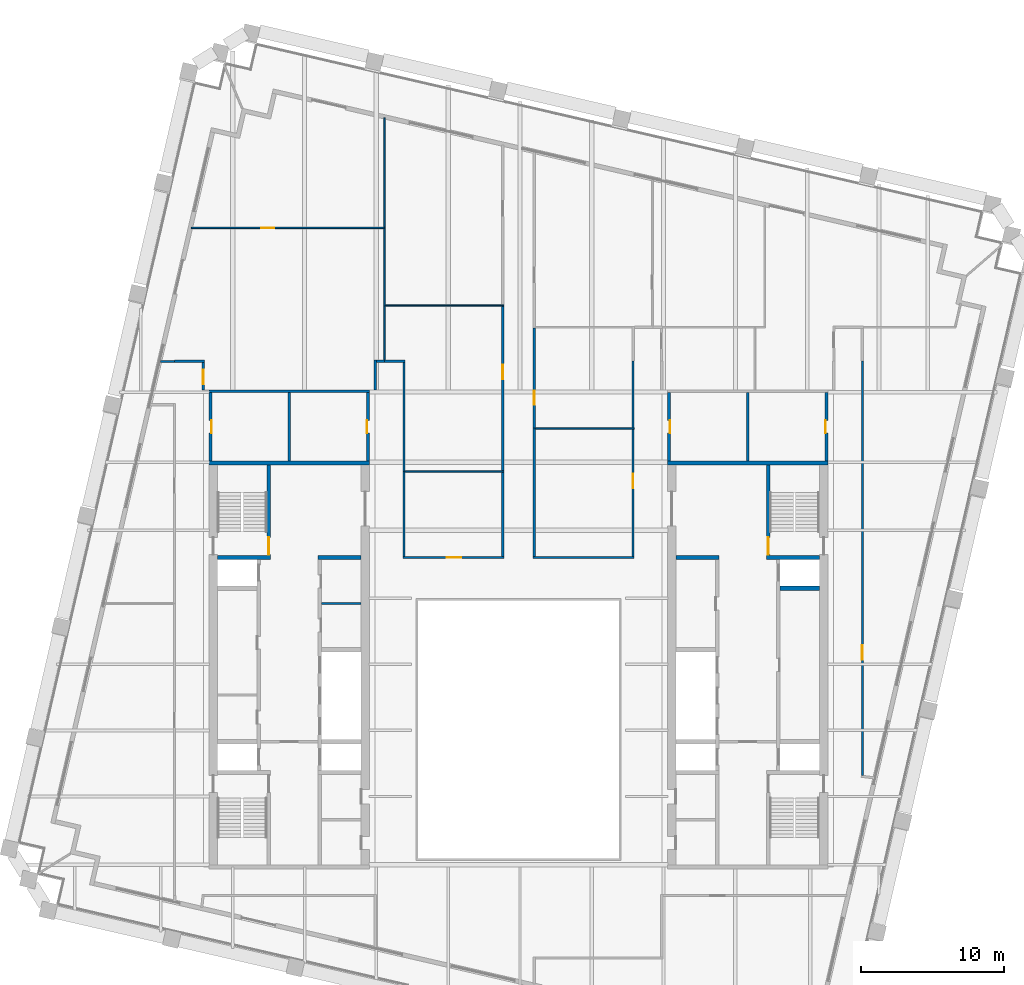
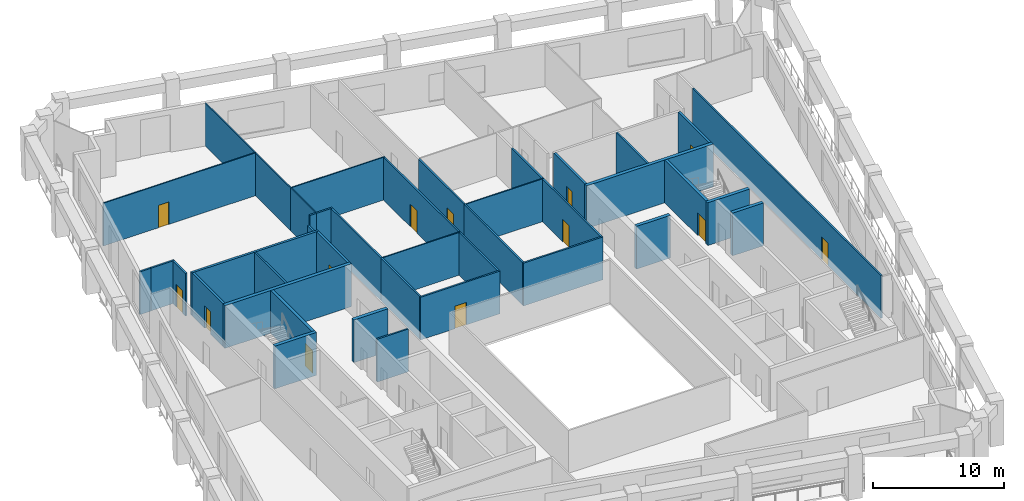
# One storey, part 7 of 11: 41 walls, 13 doors, 13 openings.
"""IFC4 building model written with IfcOpenShell, lengths in metres."""

from ifc_helpers import new_model, si_unit, direction, frame, frame_2d, origin, place, context, subcontext, project, spatial, rectangle, extrude, material, layer, layer_set, type_object, element, fill, save


model = new_model("IFC4")

# Units and contexts
model_context = context("Model", 3, precision=1e-05, world=origin(), true_north=direction((0.0, 1.0)))
body_context = subcontext(model_context, "Body", "Model", "MODEL_VIEW")
ifc_project = project(units=[si_unit("LENGTHUNIT", "METRE"), si_unit("AREAUNIT", "SQUARE_METRE"), si_unit("VOLUMEUNIT", "CUBIC_METRE"), si_unit("PLANEANGLEUNIT", "RADIAN"), si_unit("MASSUNIT", "GRAM", prefix="KILO")], contexts=[model_context])

# Site, building, storey
site_placement = place(None, origin())
site = spatial("IfcSite", under=ifc_project, at=site_placement, CompositionType="ELEMENT")
building_placement = place(site_placement, origin())
building = spatial("IfcBuilding", under=site, at=building_placement, Name="Ogive Exchange Tower", CompositionType="ELEMENT")
storey_placement = place(building_placement, frame((0.0, 0.0, 247.199951171875)))
storey = spatial("IfcBuildingStorey", under=building, at=storey_placement, Name="L53", CompositionType="ELEMENT", Elevation=247.199951171875)

# Walls
ifc_material_1 = material(Name="Gypsum board partition")
ifc_layer_1 = layer(ifc_material_1, 0.14990234375)
ifc_layer_set_1 = layer_set([ifc_layer_1], Name="Core room partition 150 gypsum")
wall_type_1 = type_object("IfcWallType", Name="Core room partition 150 gypsum", PredefinedType="PARTITIONING", material=ifc_layer_set_1)
wall_1_placement = place(storey_placement, frame((-13.75, 15.800048828125, 0.0), z_axis=(0.0, 0.0, 1.0), x_axis=(1.0, 0.0, 0.0)))
element("IfcWall", 1, at=wall_1_placement, inside=storey, type_object=wall_type_1, Name="W row B bay partition 4-1", PredefinedType="PARTITIONING", context=body_context, shape_type="SweptSolid", body=[
    extrude(rectangle(XDim=2.75, YDim=0.14990234375, at=frame_2d((1.375, 0.0))), origin(), (0.0, 0.0, 1.0), 4.0),
])
for number, where, z_axis, x_axis, name in (
    (2, (-16.0, 25.75, 0.0), (0.0, 0.0, 1.0), (0.0, 1.0, 0.0), "W annex N column wall"),
    (3, (16.0, 25.75, 0.0), (0.0, 0.0, 1.0), (0.0, 1.0, 0.0), "E annex N column wall"),
):
    element("IfcWall", number, at=place(storey_placement, frame(where, z_axis=z_axis, x_axis=x_axis)), inside=storey, type_object=wall_type_1, Name=name, PredefinedType="PARTITIONING", context=body_context, shape_type="SweptSolid", body=[
        extrude(rectangle(XDim=4.75, YDim=0.14990234375, at=frame_2d((2.375, 0.0))), origin(), (0.0, 0.0, 1.0), 4.0),
    ])
ifc_layer_2 = layer(ifc_material_1, 0.300048828125)
ifc_layer_set_2 = layer_set([ifc_layer_2], Name="Core room partition 300 gypsum")
wall_type_2 = type_object("IfcWallType", Name="Core room partition 300 gypsum", PredefinedType="PARTITIONING", material=ifc_layer_set_2)
for number, where, z_axis, x_axis, name in (
    (4, (-14.0, 19.0, 0.0), (0.0, 0.0, 1.0), (1.0, 0.0, 0.0), "W row B room end wall 7"),
    (5, (11.0, 19.0, 0.0), (0.0, 0.0, 1.0), (1.0, 0.0, 0.0), "E row B room end wall 7"),
):
    element("IfcWall", number, at=place(storey_placement, frame(where, z_axis=z_axis, x_axis=x_axis)), inside=storey, type_object=wall_type_2, Name=name, PredefinedType="PARTITIONING", context=body_context, shape_type="SweptSolid", body=[
        extrude(rectangle(XDim=3.0, YDim=0.300048828125, at=frame_2d((1.5, 0.0))), origin(), (0.0, 0.0, 1.0), 4.0),
    ])
ifc_material_2 = material(Name="Fire partition EI 60 150")
ifc_layer_3 = layer(ifc_material_2, 0.14990234375)
ifc_layer_set_3 = layer_set([ifc_layer_3], Name="Fire partition EI 60 150")
wall_type_3 = type_object("IfcWallType", Name="Fire partition EI 60 150", PredefinedType="PARTITIONING", material=ifc_layer_set_3)
wall_2_placement = place(storey_placement, frame((-24.97900390625, 32.68994140625, 0.0), z_axis=(0.0, 0.0, 1.0), x_axis=(1.0, 0.0, 0.0)))
element("IfcWall", 6, at=wall_2_placement, inside=storey, type_object=wall_type_3, Name="L53-PWL-001", PredefinedType="PARTITIONING", context=body_context, shape_type="SweptSolid", body=[
    extrude(rectangle(XDim=0.97900390625, YDim=0.14990234375, at=frame_2d((0.489501953125, 0.0))), origin(), (0.0, 0.0, 1.0), 4.0),
])
wall_3_placement = place(storey_placement, frame((-24.0, 32.699951171875, 0.0), z_axis=(0.0, 0.0, 1.0), x_axis=(1.0, 0.0, 0.0)))
element("IfcWall", 7, at=wall_3_placement, inside=storey, type_object=wall_type_3, Name="L53-PWL-006", PredefinedType="PARTITIONING", context=body_context, shape_type="SweptSolid", body=[
    extrude(rectangle(XDim=2.074951171875, YDim=0.14990234375, at=frame_2d((1.03759765625, 0.0))), origin(), (0.0, 0.0, 1.0), 4.0),
])

# Wall, opening, door
wall_4_placement = place(storey_placement, frame((-22.0, 32.625, 0.0), z_axis=(0.0, 0.0, 1.0), x_axis=(0.0, -1.0, 0.0)))
wall_4 = element("IfcWall", 8, at=wall_4_placement, inside=storey, type_object=wall_type_3, Name="L53-PWL-010", PredefinedType="PARTITIONING", context=body_context, shape_type="SweptSolid", body=[
    extrude(rectangle(XDim=1.925048828125, YDim=0.14990234375, at=frame_2d((0.96240234375, 0.0))), origin(), (0.0, 0.0, 1.0), 4.0),
])
opening_1_placement = place(wall_4_placement, frame((0.52490234375, 0.0, 0.0)))
opening_1 = element("IfcOpeningElement", 9, at=opening_1_placement, cuts=wall_4, Name="Opening L53-I05", PredefinedType="OPENING", context=body_context, shape_type="SweptSolid", body=[
    extrude(rectangle(XDim=1.0, YDim=2.10009765625, at=frame_2d((0.5, 1.050048828125))), frame((0.0, 0.0849609375, 0.0), z_axis=(0.0, -1.0, 0.0), x_axis=(1.0, 0.0, 0.0)), (0.0, 0.0, 1.0), 0.169921875),
])
ifc_material_3 = material(Name="Fire door FD 30S 1000 x 2100")
door_type_1 = type_object("IfcDoorType", Name="Fire door FD 30S 1000 x 2100", OperationType="NOTDEFINED", PredefinedType="DOOR", material=ifc_material_3)
door_1_placement = place(opening_1_placement, origin())
door_1 = element("IfcDoor", 10, at=door_1_placement, inside=storey, type_object=door_type_1, Name="L53-IDR-005", ObjectType="DT3", OperationType="SINGLE_SWING_LEFT", OverallHeight=2.10009765625, OverallWidth=1.0, PredefinedType="DOOR", context=body_context, shape_type="SweptSolid", body=[
    extrude(rectangle(XDim=1.0, YDim=2.10009765625, at=frame_2d((0.5, 1.050048828125))), frame((0.0, 0.02490234375, 0.0), z_axis=(0.0, -1.0, 0.0), x_axis=(1.0, 0.0, 0.0)), (0.0, 0.0, 1.0), 0.050048828125),
])
fill(opening_1, door_1)

# Walls
wall_5_placement = place(storey_placement, frame((-10.0, 30.699951171875, 0.0), z_axis=(0.0, 0.0, 1.0), x_axis=(0.0, 1.0, 0.0)))
element("IfcWall", 11, at=wall_5_placement, inside=storey, type_object=wall_type_3, Name="L53-PWL-013", PredefinedType="PARTITIONING", context=body_context, shape_type="SweptSolid", body=[
    extrude(rectangle(XDim=2.074951171875, YDim=0.14990234375, at=frame_2d((1.03759765625, 0.0))), origin(), (0.0, 0.0, 1.0), 3.02001953125),
])
wall_6_placement = place(storey_placement, frame((-9.925048828125, 32.699951171875, 0.0), z_axis=(0.0, 0.0, 1.0), x_axis=(1.0, 0.0, 0.0)))
element("IfcWall", 12, at=wall_6_placement, inside=storey, type_object=wall_type_3, Name="L53-PWL-014", PredefinedType="PARTITIONING", context=body_context, shape_type="SweptSolid", body=[
    extrude(rectangle(XDim=0.5849609375, YDim=0.14990234375, at=frame_2d((0.29248046875, 0.0))), origin(), (0.0, 0.0, 1.0), 4.0),
])
wall_7_placement = place(storey_placement, frame((-9.340087890625, 32.699951171875, 0.0), z_axis=(0.0, 0.0, 1.0), x_axis=(1.0, 0.0, 0.0)))
element("IfcWall", 13, at=wall_7_placement, inside=storey, type_object=wall_type_3, Name="L53-PWL-016", PredefinedType="PARTITIONING", context=body_context, shape_type="SweptSolid", body=[
    extrude(rectangle(XDim=1.4150390625, YDim=0.14990234375, at=frame_2d((0.70751953125, 0.0))), origin(), (0.0, 0.0, 1.0), 4.0),
])

# Wall, opening, door
wall_8_placement = place(storey_placement, frame((-8.074951171875, 19.0, 0.0), z_axis=(0.0, 0.0, 1.0), x_axis=(1.0, 0.0, 0.0)))
wall_8 = element("IfcWall", 14, at=wall_8_placement, inside=storey, type_object=wall_type_3, Name="L53-PWL-020", PredefinedType="PARTITIONING", context=body_context, shape_type="SweptSolid", body=[
    extrude(rectangle(XDim=7.050048828125, YDim=0.14990234375, at=frame_2d((3.52490234375, 0.0))), origin(), (0.0, 0.0, 1.0), 4.0),
])
opening_2_placement = place(wall_8_placement, frame((3.074951171875, 0.0, 0.0)))
opening_2 = element("IfcOpeningElement", 15, at=opening_2_placement, cuts=wall_8, Name="Opening L53-I01", PredefinedType="OPENING", context=body_context, shape_type="SweptSolid", body=[
    extrude(rectangle(XDim=1.0, YDim=2.10009765625, at=frame_2d((0.5, 1.050048828125))), frame((0.0, 0.0849609375, 0.0), z_axis=(0.0, -1.0, 0.0), x_axis=(1.0, 0.0, 0.0)), (0.0, 0.0, 1.0), 0.169921875),
])
door_2_placement = place(opening_2_placement, origin())
door_2 = element("IfcDoor", 16, at=door_2_placement, inside=storey, type_object=door_type_1, Name="L53-IDR-001", ObjectType="DT3", OperationType="SINGLE_SWING_RIGHT", OverallHeight=2.10009765625, OverallWidth=1.0, PredefinedType="DOOR", context=body_context, shape_type="SweptSolid", body=[
    extrude(rectangle(XDim=1.0, YDim=2.10009765625, at=frame_2d((0.5, 1.050048828125))), frame((0.0, 0.02490234375, 0.0), z_axis=(0.0, -1.0, 0.0), x_axis=(1.0, 0.0, 0.0)), (0.0, 0.0, 1.0), 0.050048828125),
])
fill(opening_2, door_2)

# Walls
wall_9_placement = place(storey_placement, frame((-8.0, 25.0, 0.0), z_axis=(0.0, 0.0, 1.0), x_axis=(0.0, -1.0, 0.0)))
element("IfcWall", 17, at=wall_9_placement, inside=storey, type_object=wall_type_3, Name="L53-PWL-021", PredefinedType="PARTITIONING", context=body_context, shape_type="SweptSolid", body=[
    extrude(rectangle(XDim=5.925048828125, YDim=0.14990234375, at=frame_2d((2.96240234375, 0.0))), origin(), (0.0, 0.0, 1.0), 4.0),
])
wall_10_placement = place(storey_placement, frame((-8.0, 32.625, 0.0), z_axis=(0.0, 0.0, 1.0), x_axis=(0.0, -1.0, 0.0)))
element("IfcWall", 18, at=wall_10_placement, inside=storey, type_object=wall_type_3, Name="L53-PWL-023", PredefinedType="PARTITIONING", context=body_context, shape_type="SweptSolid", body=[
    extrude(rectangle(XDim=7.625, YDim=0.14990234375, at=frame_2d((3.8125, 0.0))), origin(), (0.0, 0.0, 1.0), 4.0),
])
wall_11_placement = place(storey_placement, frame((-1.10009765625, 19.074951171875, 0.0), z_axis=(0.0, 0.0, 1.0), x_axis=(0.0, 1.0, 0.0)))
element("IfcWall", 19, at=wall_11_placement, inside=storey, type_object=wall_type_3, Name="L53-PWL-024", PredefinedType="PARTITIONING", context=body_context, shape_type="SweptSolid", body=[
    extrude(rectangle(XDim=5.875, YDim=0.14990234375, at=frame_2d((2.9375, 0.0))), origin(), (0.0, 0.0, 1.0), 4.0),
])

# Wall, opening, door
wall_12_placement = place(storey_placement, frame((-1.10009765625, 25.050048828125, 0.0), z_axis=(0.0, 0.0, 1.0), x_axis=(0.0, 1.0, 0.0)))
wall_12 = element("IfcWall", 20, at=wall_12_placement, inside=storey, type_object=wall_type_3, Name="L53-PWL-025", PredefinedType="PARTITIONING", context=body_context, shape_type="SweptSolid", body=[
    extrude(rectangle(XDim=11.489990234375, YDim=0.14990234375, at=frame_2d((5.7451171875, 0.0))), origin(), (0.0, 0.0, 1.0), 4.0),
])
opening_3_placement = place(wall_12_placement, frame((6.389892578125, 0.0, 0.0)))
opening_3 = element("IfcOpeningElement", 21, at=opening_3_placement, cuts=wall_12, Name="Opening L53-I02", PredefinedType="OPENING", context=body_context, shape_type="SweptSolid", body=[
    extrude(rectangle(XDim=1.0, YDim=2.10009765625, at=frame_2d((0.5, 1.050048828125))), frame((0.0, 0.0849609375, 0.0), z_axis=(0.0, -1.0, 0.0), x_axis=(1.0, 0.0, 0.0)), (0.0, 0.0, 1.0), 0.169921875),
])
door_3_placement = place(opening_3_placement, origin())
door_3 = element("IfcDoor", 22, at=door_3_placement, inside=storey, type_object=door_type_1, Name="L53-IDR-002", ObjectType="DT3", OperationType="SINGLE_SWING_RIGHT", OverallHeight=2.10009765625, OverallWidth=1.0, PredefinedType="DOOR", context=body_context, shape_type="SweptSolid", body=[
    extrude(rectangle(XDim=1.0, YDim=2.10009765625, at=frame_2d((0.5, 1.050048828125))), frame((0.0, 0.02490234375, 0.0), z_axis=(0.0, -1.0, 0.0), x_axis=(1.0, 0.0, 0.0)), (0.0, 0.0, 1.0), 0.050048828125),
])
fill(opening_3, door_3)

# Walls
wall_13_placement = place(storey_placement, frame((1.02490234375, 19.0, 0.0), z_axis=(0.0, 0.0, 1.0), x_axis=(1.0, 0.0, 0.0)))
element("IfcWall", 23, at=wall_13_placement, inside=storey, type_object=wall_type_3, Name="L53-PWL-028", PredefinedType="PARTITIONING", context=body_context, shape_type="SweptSolid", body=[
    extrude(rectangle(XDim=7.050048828125, YDim=0.14990234375, at=frame_2d((3.52490234375, 0.0))), origin(), (0.0, 0.0, 1.0), 4.0),
])
wall_14_placement = place(storey_placement, frame((1.10009765625, 28.050048828125, 0.0), z_axis=(0.0, 0.0, 1.0), x_axis=(0.0, -1.0, 0.0)))
element("IfcWall", 24, at=wall_14_placement, inside=storey, type_object=wall_type_3, Name="L53-PWL-029", PredefinedType="PARTITIONING", context=body_context, shape_type="SweptSolid", body=[
    extrude(rectangle(XDim=8.97509765625, YDim=0.14990234375, at=frame_2d((4.487548828125, 0.0))), origin(), (0.0, 0.0, 1.0), 4.0),
])

# Wall, opening, door
wall_15_placement = place(storey_placement, frame((1.10009765625, 35.02001953125, 0.0), z_axis=(0.0, 0.0, 1.0), x_axis=(0.0, -1.0, 0.0)))
wall_15 = element("IfcWall", 25, at=wall_15_placement, inside=storey, type_object=wall_type_3, Name="L53-PWL-031", PredefinedType="PARTITIONING", context=body_context, shape_type="SweptSolid", body=[
    extrude(rectangle(XDim=6.969970703125, YDim=0.14990234375, at=frame_2d((3.48486328125, 0.0))), origin(), (0.0, 0.0, 1.0), 4.0),
])
opening_4_placement = place(wall_15_placement, frame((4.3701171875, 0.0, 0.0)))
opening_4 = element("IfcOpeningElement", 26, at=opening_4_placement, cuts=wall_15, Name="Opening L53-I10", PredefinedType="OPENING", context=body_context, shape_type="SweptSolid", body=[
    extrude(rectangle(XDim=1.0, YDim=2.10009765625, at=frame_2d((0.5, 1.050048828125))), frame((0.0, 0.0849609375, 0.0), z_axis=(0.0, -1.0, 0.0), x_axis=(1.0, 0.0, 0.0)), (0.0, 0.0, 1.0), 0.169921875),
])
door_4_placement = place(opening_4_placement, origin())
door_4 = element("IfcDoor", 27, at=door_4_placement, inside=storey, type_object=door_type_1, Name="L53-IDR-010", ObjectType="DT3", OperationType="SINGLE_SWING_LEFT", OverallHeight=2.10009765625, OverallWidth=1.0, PredefinedType="DOOR", context=body_context, shape_type="SweptSolid", body=[
    extrude(rectangle(XDim=1.0, YDim=2.10009765625, at=frame_2d((0.5, 1.050048828125))), frame((0.0, 0.02490234375, 0.0), z_axis=(0.0, -1.0, 0.0), x_axis=(1.0, 0.0, 0.0)), (0.0, 0.0, 1.0), 0.050048828125),
])
fill(opening_4, door_4)

wall_16_placement = place(storey_placement, frame((8.0, 19.074951171875, 0.0), z_axis=(0.0, 0.0, 1.0), x_axis=(0.0, 1.0, 0.0)))
wall_16 = element("IfcWall", 28, at=wall_16_placement, inside=storey, type_object=wall_type_3, Name="L53-PWL-033", PredefinedType="PARTITIONING", context=body_context, shape_type="SweptSolid", body=[
    extrude(rectangle(XDim=8.875, YDim=0.14990234375, at=frame_2d((4.4375, 0.0))), origin(), (0.0, 0.0, 1.0), 4.0),
])
opening_5_placement = place(wall_16_placement, frame((4.77490234375, 0.0, 0.0)))
opening_5 = element("IfcOpeningElement", 29, at=opening_5_placement, cuts=wall_16, Name="Opening L53-I08", PredefinedType="OPENING", context=body_context, shape_type="SweptSolid", body=[
    extrude(rectangle(XDim=1.0, YDim=2.10009765625, at=frame_2d((0.5, 1.050048828125))), frame((0.0, 0.0849609375, 0.0), z_axis=(0.0, -1.0, 0.0), x_axis=(1.0, 0.0, 0.0)), (0.0, 0.0, 1.0), 0.169921875),
])
door_5_placement = place(opening_5_placement, origin())
door_5 = element("IfcDoor", 30, at=door_5_placement, inside=storey, type_object=door_type_1, Name="L53-IDR-008", ObjectType="DT3", OperationType="SINGLE_SWING_LEFT", OverallHeight=2.10009765625, OverallWidth=1.0, PredefinedType="DOOR", context=body_context, shape_type="SweptSolid", body=[
    extrude(rectangle(XDim=1.0, YDim=2.10009765625, at=frame_2d((0.5, 1.050048828125))), frame((0.0, 0.02490234375, 0.0), z_axis=(0.0, -1.0, 0.0), x_axis=(1.0, 0.0, 0.0)), (0.0, 0.0, 1.0), 0.050048828125),
])
fill(opening_5, door_5)

# Wall
wall_17_placement = place(storey_placement, frame((8.0, 28.050048828125, 0.0), z_axis=(0.0, 0.0, 1.0), x_axis=(0.0, 1.0, 0.0)))
element("IfcWall", 31, at=wall_17_placement, inside=storey, type_object=wall_type_3, Name="L53-PWL-034", PredefinedType="PARTITIONING", context=body_context, shape_type="SweptSolid", body=[
    extrude(rectangle(XDim=4.64990234375, YDim=0.14990234375, at=frame_2d((2.324951171875, 0.0))), origin(), (0.0, 0.0, 1.0), 4.0),
])

# Wall, opening, door
wall_18_placement = place(storey_placement, frame((24.0, 32.699951171875, 0.0), z_axis=(0.0, 0.0, 1.0), x_axis=(0.0, -1.0, 0.0)))
wall_18 = element("IfcWall", 32, at=wall_18_placement, inside=storey, type_object=wall_type_3, Name="L53-PWL-055", PredefinedType="PARTITIONING", context=body_context, shape_type="SweptSolid", body=[
    extrude(rectangle(XDim=28.905029296875, YDim=0.14990234375, at=frame_2d((14.45263671875, 0.0))), origin(), (0.0, 0.0, 1.0), 4.0),
])
opening_6_placement = place(wall_18_placement, frame((19.830078125, 0.0, 0.0)))
opening_6 = element("IfcOpeningElement", 33, at=opening_6_placement, cuts=wall_18, Name="Opening L53-I12", PredefinedType="OPENING", context=body_context, shape_type="SweptSolid", body=[
    extrude(rectangle(XDim=1.0, YDim=2.10009765625, at=frame_2d((0.5, 1.050048828125))), frame((0.0, 0.0849609375, 0.0), z_axis=(0.0, -1.0, 0.0), x_axis=(1.0, 0.0, 0.0)), (0.0, 0.0, 1.0), 0.169921875),
])
door_6_placement = place(opening_6_placement, origin())
door_6 = element("IfcDoor", 34, at=door_6_placement, inside=storey, type_object=door_type_1, Name="L53-IDR-012", ObjectType="DT3", OperationType="SINGLE_SWING_LEFT", OverallHeight=2.10009765625, OverallWidth=1.0, PredefinedType="DOOR", context=body_context, shape_type="SweptSolid", body=[
    extrude(rectangle(XDim=1.0, YDim=2.10009765625, at=frame_2d((0.5, 1.050048828125))), frame((0.0, 0.02490234375, 0.0), z_axis=(0.0, -1.0, 0.0), x_axis=(1.0, 0.0, 0.0)), (0.0, 0.0, 1.0), 0.050048828125),
])
fill(opening_6, door_6)

ifc_material_4 = material(Name="Partition 100 gypsum")
ifc_layer_4 = layer(ifc_material_4, 0.10009765625)
ifc_layer_set_4 = layer_set([ifc_layer_4], Name="Partition 100 gypsum")
wall_type_4 = type_object("IfcWallType", Name="Partition 100 gypsum", PredefinedType="PARTITIONING", material=ifc_layer_set_4)
wall_19_placement = place(storey_placement, frame((-22.8291015625, 42.0, 0.0), z_axis=(0.0, 0.0, 1.0), x_axis=(1.0, 0.0, 0.0)))
wall_19 = element("IfcWall", 35, at=wall_19_placement, inside=storey, type_object=wall_type_4, Name="L53-PWL-008", PredefinedType="PARTITIONING", context=body_context, shape_type="SweptSolid", body=[
    extrude(rectangle(XDim=13.5390625, YDim=0.10009765625, at=frame_2d((6.76953125, 0.0))), origin(), (0.0, 0.0, 1.0), 4.0),
])
opening_7_placement = place(wall_19_placement, frame((4.888916015625, 0.0, 0.0)))
opening_7 = element("IfcOpeningElement", 36, at=opening_7_placement, cuts=wall_19, Name="Opening L53-I06", PredefinedType="OPENING", context=body_context, shape_type="SweptSolid", body=[
    extrude(rectangle(XDim=0.89990234375, YDim=2.10009765625, at=frame_2d((0.449951171875, 1.050048828125))), frame((0.0, 0.06005859375, 0.0), z_axis=(0.0, -1.0, 0.0), x_axis=(1.0, 0.0, 0.0)), (0.0, 0.0, 1.0), 0.1201171875),
])
ifc_material_5 = material(Name="Door 900 x 2100")
door_type_2 = type_object("IfcDoorType", Name="Door 900 x 2100", OperationType="NOTDEFINED", PredefinedType="DOOR", material=ifc_material_5)
door_7_placement = place(opening_7_placement, origin())
door_7 = element("IfcDoor", 37, at=door_7_placement, inside=storey, type_object=door_type_2, Name="L53-IDR-006", ObjectType="DT1", OperationType="SINGLE_SWING_LEFT", OverallHeight=2.10009765625, OverallWidth=0.89990234375, PredefinedType="DOOR", context=body_context, shape_type="SweptSolid", body=[
    extrude(rectangle(XDim=0.89990234375, YDim=2.10009765625, at=frame_2d((0.449951171875, 1.050048828125))), frame((0.0, 0.02490234375, 0.0), z_axis=(0.0, -1.0, 0.0), x_axis=(1.0, 0.0, 0.0)), (0.0, 0.0, 1.0), 0.050048828125),
])
fill(opening_7, door_7)

# Walls
wall_20_placement = place(storey_placement, frame((-9.340087890625, 32.77490234375, 0.0), z_axis=(0.0, 0.0, 1.0), x_axis=(0.0, 1.0, 0.0)))
element("IfcWall", 38, at=wall_20_placement, inside=storey, type_object=wall_type_4, Name="L53-PWL-015", PredefinedType="PARTITIONING", context=body_context, shape_type="SweptSolid", body=[
    extrude(rectangle(XDim=3.76513671875, YDim=0.10009765625, at=frame_2d((1.882568359375, 0.0))), origin(), (0.0, 0.0, 1.0), 4.0),
])
wall_21_placement = place(storey_placement, frame((-9.340087890625, 36.5400390625, 0.0), z_axis=(0.0, 0.0, 1.0), x_axis=(0.0, 1.0, 0.0)))
element("IfcWall", 39, at=wall_21_placement, inside=storey, type_object=wall_type_4, Name="L53-PWL-017", PredefinedType="PARTITIONING", context=body_context, shape_type="SweptSolid", body=[
    extrude(rectangle(XDim=5.409912109375, YDim=0.10009765625, at=frame_2d((2.705078125, 0.0))), origin(), (0.0, 0.0, 1.0), 4.0),
])
wall_22_placement = place(storey_placement, frame((-9.2900390625, 36.590087890625, 0.0), z_axis=(0.0, 0.0, 1.0), x_axis=(1.0, 0.0, 0.0)))
element("IfcWall", 40, at=wall_22_placement, inside=storey, type_object=wall_type_4, Name="L53-PWL-018", PredefinedType="PARTITIONING", context=body_context, shape_type="SweptSolid", body=[
    extrude(rectangle(XDim=8.26513671875, YDim=0.10009765625, at=frame_2d((4.132568359375, 0.0))), origin(), (0.0, 0.0, 1.0), 4.0),
])
wall_23_placement = place(storey_placement, frame((-9.340087890625, 42.050048828125, 0.0), z_axis=(0.0, 0.0, 1.0), x_axis=(0.0, 1.0, 0.0)))
element("IfcWall", 41, at=wall_23_placement, inside=storey, type_object=wall_type_4, Name="L53-PWL-019", PredefinedType="PARTITIONING", context=body_context, shape_type="SweptSolid", body=[
    extrude(rectangle(XDim=7.630859375, YDim=0.10009765625, at=frame_2d((3.8154296875, 0.0))), origin(), (0.0, 0.0, 1.0), 4.0),
])
wall_24_placement = place(storey_placement, frame((-7.925048828125, 25.0, 0.0), z_axis=(0.0, 0.0, 1.0), x_axis=(1.0, 0.0, 0.0)))
element("IfcWall", 42, at=wall_24_placement, inside=storey, type_object=wall_type_4, Name="L53-PWL-022", PredefinedType="PARTITIONING", context=body_context, shape_type="SweptSolid", body=[
    extrude(rectangle(XDim=6.900146484375, YDim=0.10009765625, at=frame_2d((3.4501953125, 0.0))), origin(), (0.0, 0.0, 1.0), 4.0),
])
wall_25_placement = place(storey_placement, frame((1.175048828125, 28.0, 0.0), z_axis=(0.0, 0.0, 1.0), x_axis=(1.0, 0.0, 0.0)))
element("IfcWall", 43, at=wall_25_placement, inside=storey, type_object=wall_type_4, Name="L53-PWL-030", PredefinedType="PARTITIONING", context=body_context, shape_type="SweptSolid", body=[
    extrude(rectangle(XDim=6.89990234375, YDim=0.10009765625, at=frame_2d((3.449951171875, 0.0))), origin(), (0.0, 0.0, 1.0), 4.0),
])

# Wall, opening, door
ifc_material_6 = material(Name="Concrete C70/85", Category="concrete")
ifc_layer_5 = layer(ifc_material_6, 0.199951171875)
ifc_layer_set_5 = layer_set([ifc_layer_5], Name="RC core wall 200 C70/85")
wall_type_5 = type_object("IfcWallType", Name="RC core wall 200 C70/85", PredefinedType="SHEAR", material=ifc_layer_set_5)
wall_26_placement = place(storey_placement, frame((-21.5, 25.75, 0.0), z_axis=(0.0, 0.0, 1.0), x_axis=(0.0, 1.0, 0.0)))
wall_26 = element("IfcWall", 44, at=wall_26_placement, inside=storey, type_object=wall_type_5, Name="W annex N outer wall", PredefinedType="SHEAR", context=body_context, shape_type="SweptSolid", body=[
    extrude(rectangle(XDim=4.75, YDim=0.199951171875, at=frame_2d((2.375, 0.0))), origin(), (0.0, 0.0, 1.0), 4.0),
])
opening_8_placement = place(wall_26_placement, frame((1.925048828125, 0.0, 0.0)))
opening_8 = element("IfcOpeningElement", 45, at=opening_8_placement, cuts=wall_26, Name="Opening L53-C19", PredefinedType="OPENING", context=body_context, shape_type="SweptSolid", body=[
    extrude(rectangle(XDim=0.89990234375, YDim=2.10009765625, at=frame_2d((0.449951171875, 1.050048828125))), frame((0.0, 0.10986328125, 0.0), z_axis=(0.0, -1.0, 0.0), x_axis=(1.0, 0.0, 0.0)), (0.0, 0.0, 1.0), 0.219970703125),
])
ifc_material_7 = material(Name="Steel fire door", Category="steel")
door_type_3 = type_object("IfcDoorType", Name="Riser door FD60 900 x 2100", OperationType="NOTDEFINED", PredefinedType="DOOR", material=ifc_material_7)
door_8_placement = place(opening_8_placement, origin())
door_8 = element("IfcDoor", 46, at=door_8_placement, inside=storey, type_object=door_type_3, Name="Riser door", ObjectType="CD2", OperationType="SINGLE_SWING_LEFT", OverallHeight=2.10009765625, OverallWidth=0.89990234375, PredefinedType="DOOR", context=body_context, shape_type="SweptSolid", body=[
    extrude(rectangle(XDim=0.89990234375, YDim=2.10009765625, at=frame_2d((0.449951171875, 1.050048828125))), frame((0.0, -0.0498046875, 0.0), z_axis=(0.0, -1.0, 0.0), x_axis=(1.0, 0.0, 0.0)), (0.0, 0.0, 1.0), 0.050048828125),
])
fill(opening_8, door_8)

wall_27_placement = place(storey_placement, frame((-10.5, 25.75, 0.0), z_axis=(0.0, 0.0, 1.0), x_axis=(0.0, 1.0, 0.0)))
wall_27 = element("IfcWall", 47, at=wall_27_placement, inside=storey, type_object=wall_type_5, Name="W annex N inner wall", PredefinedType="SHEAR", context=body_context, shape_type="SweptSolid", body=[
    extrude(rectangle(XDim=4.75, YDim=0.199951171875, at=frame_2d((2.375, 0.0))), origin(), (0.0, 0.0, 1.0), 4.0),
])
opening_9_placement = place(wall_27_placement, frame((1.925048828125, 0.0, 0.0)))
opening_9 = element("IfcOpeningElement", 48, at=opening_9_placement, cuts=wall_27, Name="Opening L53-C20", PredefinedType="OPENING", context=body_context, shape_type="SweptSolid", body=[
    extrude(rectangle(XDim=0.89990234375, YDim=2.10009765625, at=frame_2d((0.449951171875, 1.050048828125))), frame((0.0, 0.10986328125, 0.0), z_axis=(0.0, -1.0, 0.0), x_axis=(1.0, 0.0, 0.0)), (0.0, 0.0, 1.0), 0.219970703125),
])
door_9_placement = place(opening_9_placement, frame((0.89990234375, 0.14990234375, 0.0), z_axis=(0.0, 0.0, 1.0), x_axis=(-1.0, 0.0, 0.0)))
door_9 = element("IfcDoor", 49, at=door_9_placement, inside=storey, type_object=door_type_3, Name="Riser door", ObjectType="CD2", OperationType="SINGLE_SWING_LEFT", OverallHeight=2.10009765625, OverallWidth=0.89990234375, PredefinedType="DOOR", context=body_context, shape_type="SweptSolid", body=[
    extrude(rectangle(XDim=0.89990234375, YDim=2.10009765625, at=frame_2d((0.449951171875, 1.050048828125))), frame((0.0, 0.10009765625, 0.0), z_axis=(0.0, -1.0, 0.0), x_axis=(1.0, 0.0, 0.0)), (0.0, 0.0, 1.0), 0.050048828125),
])
fill(opening_9, door_9)

# Wall
wall_28_placement = place(storey_placement, frame((-21.60009765625, 30.60009765625, 0.0), z_axis=(0.0, 0.0, 1.0), x_axis=(1.0, 0.0, 0.0)))
element("IfcWall", 50, at=wall_28_placement, inside=storey, type_object=wall_type_5, Name="W annex N end wall", PredefinedType="SHEAR", context=body_context, shape_type="SweptSolid", body=[
    extrude(rectangle(XDim=11.2001953125, YDim=0.199951171875, at=frame_2d((5.60009765625, 0.0))), origin(), (0.0, 0.0, 1.0), 4.0),
])

# Wall, opening, door
wall_29_placement = place(storey_placement, frame((21.5, 25.75, 0.0), z_axis=(0.0, 0.0, 1.0), x_axis=(0.0, 1.0, 0.0)))
wall_29 = element("IfcWall", 51, at=wall_29_placement, inside=storey, type_object=wall_type_5, Name="E annex N outer wall", PredefinedType="SHEAR", context=body_context, shape_type="SweptSolid", body=[
    extrude(rectangle(XDim=4.75, YDim=0.199951171875, at=frame_2d((2.375, 0.0))), origin(), (0.0, 0.0, 1.0), 4.0),
])
opening_10_placement = place(wall_29_placement, frame((1.925048828125, 0.0, 0.0)))
opening_10 = element("IfcOpeningElement", 52, at=opening_10_placement, cuts=wall_29, Name="Opening L53-C37", PredefinedType="OPENING", context=body_context, shape_type="SweptSolid", body=[
    extrude(rectangle(XDim=0.89990234375, YDim=2.10009765625, at=frame_2d((0.449951171875, 1.050048828125))), frame((0.0, 0.10986328125, 0.0), z_axis=(0.0, -1.0, 0.0), x_axis=(1.0, 0.0, 0.0)), (0.0, 0.0, 1.0), 0.219970703125),
])
door_10_placement = place(opening_10_placement, frame((0.89990234375, 0.14990234375, 0.0), z_axis=(0.0, 0.0, 1.0), x_axis=(-1.0, 0.0, 0.0)))
door_10 = element("IfcDoor", 53, at=door_10_placement, inside=storey, type_object=door_type_3, Name="Riser door", ObjectType="CD2", OperationType="SINGLE_SWING_LEFT", OverallHeight=2.10009765625, OverallWidth=0.89990234375, PredefinedType="DOOR", context=body_context, shape_type="SweptSolid", body=[
    extrude(rectangle(XDim=0.89990234375, YDim=2.10009765625, at=frame_2d((0.449951171875, 1.050048828125))), frame((0.0, 0.10009765625, 0.0), z_axis=(0.0, -1.0, 0.0), x_axis=(1.0, 0.0, 0.0)), (0.0, 0.0, 1.0), 0.050048828125),
])
fill(opening_10, door_10)

wall_30_placement = place(storey_placement, frame((10.5, 25.75, 0.0), z_axis=(0.0, 0.0, 1.0), x_axis=(0.0, 1.0, 0.0)))
wall_30 = element("IfcWall", 54, at=wall_30_placement, inside=storey, type_object=wall_type_5, Name="E annex N inner wall", PredefinedType="SHEAR", context=body_context, shape_type="SweptSolid", body=[
    extrude(rectangle(XDim=4.75, YDim=0.199951171875, at=frame_2d((2.375, 0.0))), origin(), (0.0, 0.0, 1.0), 4.0),
])
opening_11_placement = place(wall_30_placement, frame((1.925048828125, 0.0, 0.0)))
opening_11 = element("IfcOpeningElement", 55, at=opening_11_placement, cuts=wall_30, Name="Opening L53-C38", PredefinedType="OPENING", context=body_context, shape_type="SweptSolid", body=[
    extrude(rectangle(XDim=0.89990234375, YDim=2.10009765625, at=frame_2d((0.449951171875, 1.050048828125))), frame((0.0, 0.10986328125, 0.0), z_axis=(0.0, -1.0, 0.0), x_axis=(1.0, 0.0, 0.0)), (0.0, 0.0, 1.0), 0.219970703125),
])
door_11_placement = place(opening_11_placement, origin())
door_11 = element("IfcDoor", 56, at=door_11_placement, inside=storey, type_object=door_type_3, Name="Riser door", ObjectType="CD2", OperationType="SINGLE_SWING_LEFT", OverallHeight=2.10009765625, OverallWidth=0.89990234375, PredefinedType="DOOR", context=body_context, shape_type="SweptSolid", body=[
    extrude(rectangle(XDim=0.89990234375, YDim=2.10009765625, at=frame_2d((0.449951171875, 1.050048828125))), frame((0.0, -0.0498046875, 0.0), z_axis=(0.0, -1.0, 0.0), x_axis=(1.0, 0.0, 0.0)), (0.0, 0.0, 1.0), 0.050048828125),
])
fill(opening_11, door_11)

ifc_layer_6 = layer(ifc_material_6, 0.25)
ifc_layer_set_6 = layer_set([ifc_layer_6], Name="RC core wall 250 C70/85")
wall_type_6 = type_object("IfcWallType", Name="RC core wall 250 C70/85", PredefinedType="SHEAR", material=ifc_layer_set_6)
wall_31_placement = place(storey_placement, frame((-17.425048828125, 19.14990234375, 0.0), z_axis=(0.0, 0.0, 1.0), x_axis=(0.0, 1.0, 0.0)))
wall_31 = element("IfcWall", 57, at=wall_31_placement, inside=storey, type_object=wall_type_6, Name="W stair N front wall", PredefinedType="SHEAR", context=body_context, shape_type="SweptSolid", body=[
    extrude(rectangle(XDim=6.300048828125, YDim=0.25, at=frame_2d((3.14990234375, 0.0))), origin(), (0.0, 0.0, 1.0), 4.0),
])
opening_12_placement = place(wall_31_placement, frame((0.050048828125, 0.0, 0.0)))
opening_12 = element("IfcOpeningElement", 58, at=opening_12_placement, cuts=wall_31, Name="Opening L53-C15", PredefinedType="OPENING", context=body_context, shape_type="SweptSolid", body=[
    extrude(rectangle(XDim=1.199951171875, YDim=2.10009765625, at=frame_2d((0.60009765625, 1.050048828125))), frame((0.0, 0.135009765625, 0.0), z_axis=(0.0, -1.0, 0.0), x_axis=(1.0, 0.0, 0.0)), (0.0, 0.0, 1.0), 0.27001953125),
])
door_type_4 = type_object("IfcDoorType", Name="Stair door FD90 1200 x 2100", OperationType="NOTDEFINED", PredefinedType="DOOR", material=ifc_material_7)
door_12_placement = place(opening_12_placement, origin())
door_12 = element("IfcDoor", 59, at=door_12_placement, inside=storey, type_object=door_type_4, Name="Stair door", ObjectType="CD5", OperationType="SINGLE_SWING_RIGHT", OverallHeight=2.10009765625, OverallWidth=1.199951171875, PredefinedType="DOOR", context=body_context, shape_type="SweptSolid", body=[
    extrude(rectangle(XDim=1.199951171875, YDim=2.10009765625, at=frame_2d((0.60009765625, 1.050048828125))), frame((0.0, 0.02490234375, 0.0), z_axis=(0.0, -1.0, 0.0), x_axis=(1.0, 0.0, 0.0)), (0.0, 0.0, 1.0), 0.050048828125),
])
fill(opening_12, door_12)

wall_32_placement = place(storey_placement, frame((17.425048828125, 19.14990234375, 0.0), z_axis=(0.0, 0.0, 1.0), x_axis=(0.0, 1.0, 0.0)))
wall_32 = element("IfcWall", 60, at=wall_32_placement, inside=storey, type_object=wall_type_6, Name="E stair N front wall", PredefinedType="SHEAR", context=body_context, shape_type="SweptSolid", body=[
    extrude(rectangle(XDim=6.300048828125, YDim=0.25, at=frame_2d((3.14990234375, 0.0))), origin(), (0.0, 0.0, 1.0), 4.0),
])
opening_13_placement = place(wall_32_placement, frame((0.050048828125, 0.0, 0.0)))
opening_13 = element("IfcOpeningElement", 61, at=opening_13_placement, cuts=wall_32, Name="Opening L53-C33", PredefinedType="OPENING", context=body_context, shape_type="SweptSolid", body=[
    extrude(rectangle(XDim=1.199951171875, YDim=2.10009765625, at=frame_2d((0.60009765625, 1.050048828125))), frame((0.0, 0.135009765625, 0.0), z_axis=(0.0, -1.0, 0.0), x_axis=(1.0, 0.0, 0.0)), (0.0, 0.0, 1.0), 0.27001953125),
])
door_13_placement = place(opening_13_placement, frame((1.199951171875, 0.0, 0.0), z_axis=(0.0, 0.0, 1.0), x_axis=(-1.0, 0.0, 0.0)))
door_13 = element("IfcDoor", 62, at=door_13_placement, inside=storey, type_object=door_type_4, Name="Stair door", ObjectType="CD5", OperationType="SINGLE_SWING_LEFT", OverallHeight=2.10009765625, OverallWidth=1.199951171875, PredefinedType="DOOR", context=body_context, shape_type="SweptSolid", body=[
    extrude(rectangle(XDim=1.199951171875, YDim=2.10009765625, at=frame_2d((0.60009765625, 1.050048828125))), frame((0.0, 0.02490234375, 0.0), z_axis=(0.0, -1.0, 0.0), x_axis=(1.0, 0.0, 0.0)), (0.0, 0.0, 1.0), 0.050048828125),
])
fill(opening_13, door_13)

# Walls
ifc_layer_7 = layer(ifc_material_6, 0.300048828125)
ifc_layer_set_7 = layer_set([ifc_layer_7], Name="RC core wall 300 C70/85")
wall_type_7 = type_object("IfcWallType", Name="RC core wall 300 C70/85", PredefinedType="SHEAR", material=ifc_layer_set_7)
wall_33_placement = place(storey_placement, frame((-21.60009765625, 25.60009765625, 0.0), z_axis=(0.0, 0.0, 1.0), x_axis=(1.0, 0.0, 0.0)))
element("IfcWall", 63, at=wall_33_placement, inside=storey, type_object=wall_type_7, Name="W north end wall", PredefinedType="SHEAR", context=body_context, shape_type="SweptSolid", body=[
    extrude(rectangle(XDim=11.2001953125, YDim=0.300048828125, at=frame_2d((5.60009765625, 0.0))), origin(), (0.0, 0.0, 1.0), 4.0),
])
wall_34_placement = place(storey_placement, frame((-21.0, 19.0, 0.0), z_axis=(0.0, 0.0, 1.0), x_axis=(1.0, 0.0, 0.0)))
element("IfcWall", 64, at=wall_34_placement, inside=storey, type_object=wall_type_7, Name="W stair N south wall", PredefinedType="SHEAR", context=body_context, shape_type="SweptSolid", body=[
    extrude(rectangle(XDim=3.699951171875, YDim=0.300048828125, at=frame_2d((1.85009765625, 0.0))), origin(), (0.0, 0.0, 1.0), 4.0),
])
wall_35_placement = place(storey_placement, frame((10.39990234375, 25.60009765625, 0.0), z_axis=(0.0, 0.0, 1.0), x_axis=(1.0, 0.0, 0.0)))
element("IfcWall", 65, at=wall_35_placement, inside=storey, type_object=wall_type_7, Name="E north end wall", PredefinedType="SHEAR", context=body_context, shape_type="SweptSolid", body=[
    extrude(rectangle(XDim=11.2001953125, YDim=0.300048828125, at=frame_2d((5.60009765625, 0.0))), origin(), (0.0, 0.0, 1.0), 4.0),
])
wall_36_placement = place(storey_placement, frame((17.300048828125, 19.0, 0.0), z_axis=(0.0, 0.0, 1.0), x_axis=(1.0, 0.0, 0.0)))
element("IfcWall", 66, at=wall_36_placement, inside=storey, type_object=wall_type_7, Name="E stair N south wall", PredefinedType="SHEAR", context=body_context, shape_type="SweptSolid", body=[
    extrude(rectangle(XDim=3.699951171875, YDim=0.300048828125, at=frame_2d((1.85009765625, 0.0))), origin(), (0.0, 0.0, 1.0), 4.0),
])
wall_37_placement = place(storey_placement, frame((18.25, 16.857177734375, 0.0), z_axis=(0.0, 0.0, 1.0), x_axis=(1.0, 0.0, 0.0)))
element("IfcWall", 67, at=wall_37_placement, inside=storey, type_object=wall_type_7, Name="E row A divider 6", PredefinedType="SHEAR", context=body_context, shape_type="SweptSolid", body=[
    extrude(rectangle(XDim=2.75, YDim=0.300048828125, at=frame_2d((1.375, 0.0))), origin(), (0.0, 0.0, 1.0), 4.0),
])

save(model, "model.ifc")
